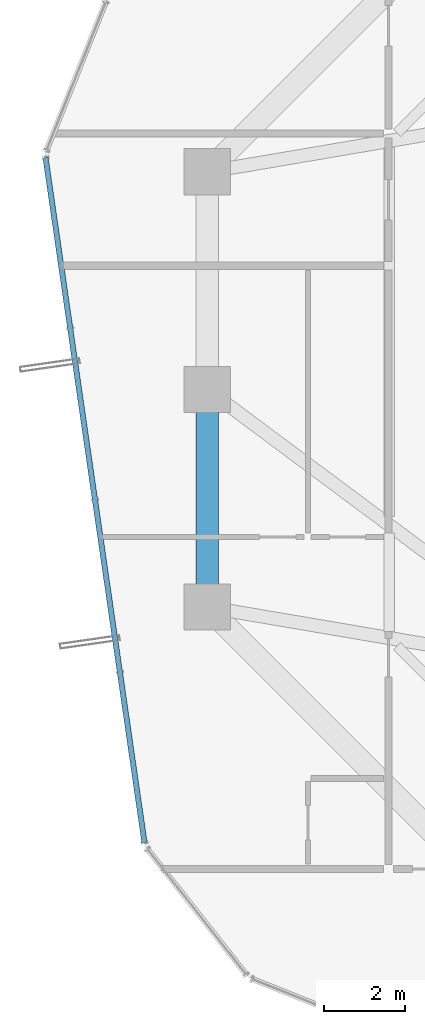
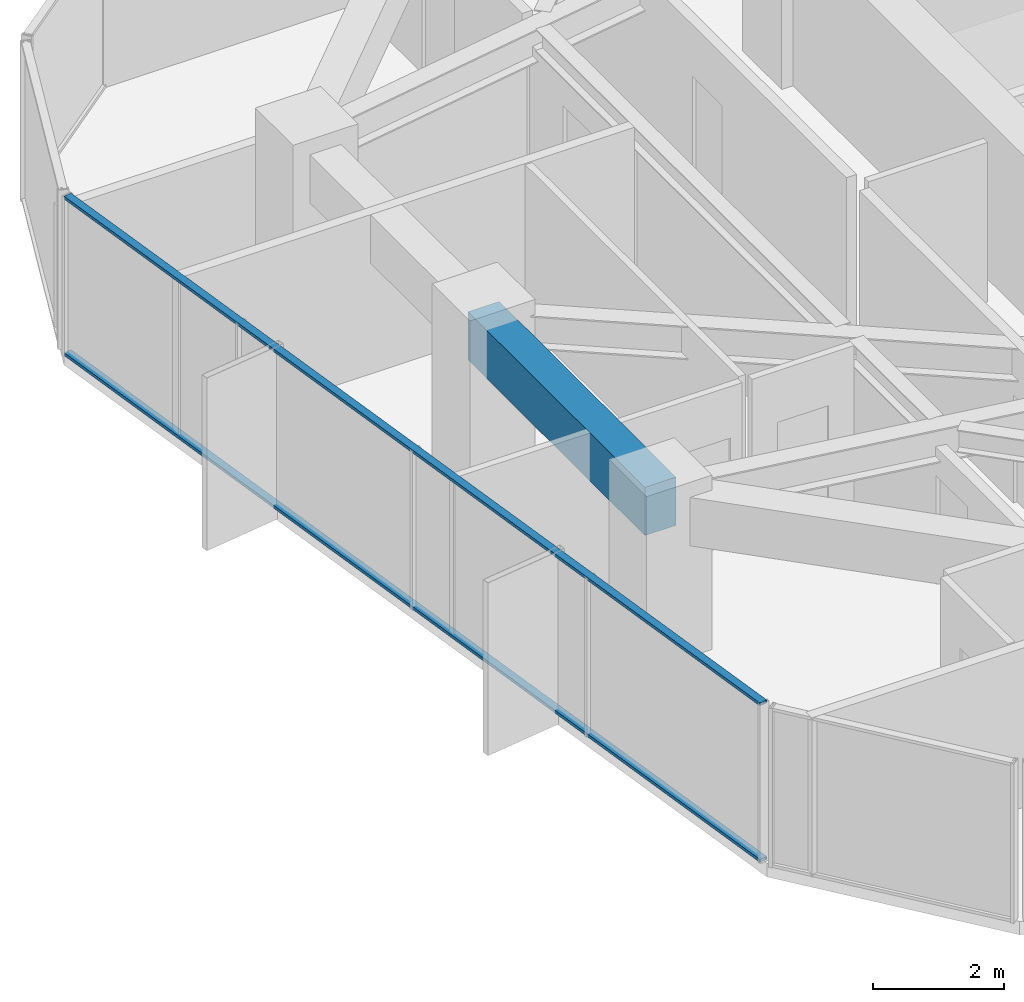
# One storey, part 9 of 34: 2 members, 1 beam, 1 element without a shape of its own.
"""IFC4 building model written with IfcOpenShell, lengths in metres."""

from ifc_helpers import new_model, si_unit, direction, frame, origin, origin_2d, place, context, subcontext, project, spatial, rectangle, hollow_rectangle, extrude, source, transform, mapped, material, layer, layer_set, material_profile, profile_set, type_object, element, aggregate, save


model = new_model("IFC4")

# Units and contexts
model_context = context("Model", 3, precision=1e-05, world=origin(), true_north=direction((0.0, 1.0)))
body_context = subcontext(model_context, "Body", "Model", "MODEL_VIEW")
ifc_project = project(units=[si_unit("LENGTHUNIT", "METRE"), si_unit("AREAUNIT", "SQUARE_METRE"), si_unit("VOLUMEUNIT", "CUBIC_METRE"), si_unit("PLANEANGLEUNIT", "RADIAN"), si_unit("MASSUNIT", "GRAM", prefix="KILO")], contexts=[model_context])

# Site, building, storey
site_placement = place(None, origin())
site = spatial("IfcSite", under=ifc_project, at=site_placement, CompositionType="ELEMENT")
building_placement = place(site_placement, origin())
building = spatial("IfcBuilding", under=site, at=building_placement, Name="Veraguas Prism Commons", CompositionType="ELEMENT")
storey_placement = place(building_placement, frame((0.0, 0.0, 155.5)))
storey = spatial("IfcBuildingStorey", under=building, at=storey_placement, Name="L44", CompositionType="ELEMENT", Elevation=155.5)

# Beam
ifc_material_1 = material(Name="Concrete C50/60", Category="concrete")
ifc_material_profile_1 = material_profile(ifc_material_1, rectangle(XDim=0.550048828125, YDim=0.89990234375, at=origin_2d()), Name="RC550X900")
ifc_profile_set_1 = profile_set([ifc_material_profile_1], Name="Concrete C50/60")
beam_type = type_object("IfcBeamType", Name="Perimeter Spandrel Lower RC 550x900", PredefinedType="SPANDREL", material=ifc_profile_set_1)
beam_placement = place(storey_placement, frame((7.800048828125, 24.0, 2.52001953125), z_axis=(0.0, -1.0, 0.0), x_axis=(1.0, 0.0, 0.0)))
element("IfcBeam", 1, at=beam_placement, inside=storey, type_object=beam_type, Name="Perimeter Spandrel Beam L44-SP08", PredefinedType="SPANDREL", context=body_context, shape_type="SweptSolid", body=[
    extrude(rectangle(XDim=0.550048828125, YDim=0.89990234375, at=origin_2d()), origin(), (0.0, 0.0, 1.0), 5.39990234375),
])

# Curtain wall, members
ifc_material_2 = material(Name="Anodised aluminium EN AW-6063 T6", Category="aluminium")
ifc_layer = layer(ifc_material_2, 0.169921875, Name="Unitised Flush Curtain Wall Zone 2", Category="aluminium")
ifc_layer_set = layer_set([ifc_layer], Name="Anodised aluminium EN AW-6063 T6")
curtain_wall_type = type_object("IfcCurtainWallType", Name="Unitised Flush Curtain Wall Zone 2", PredefinedType="NOTDEFINED", material=ifc_layer_set)
curtain_wall_placement = place(storey_placement, origin())
curtain_wall = element("IfcCurtainWall", 2, at=curtain_wall_placement, inside=storey, type_object=curtain_wall_type, Name="Tower Facade Curtain Wall L44-F3", PredefinedType="NOTDEFINED")
ifc_material_profile_2 = material_profile(ifc_material_2, hollow_rectangle(XDim=0.054931640625, YDim=0.135009765625, WallThickness=0.0029296875, at=origin_2d()), Name="AL55X135X3")
ifc_profile_set_2 = profile_set([ifc_material_profile_2], Name="Anodised aluminium EN AW-6063 T6")
member_type = type_object("IfcMemberType", Name="Curtain Wall Transom Standard AL 55x135x3", PredefinedType="USERDEFINED", material=ifc_profile_set_2)
shared_shape = source(origin(), body_context, "Body", "SweptSolid", [
    extrude(hollow_rectangle(XDim=0.054931640625, YDim=0.135009765625, WallThickness=0.0029296875, at=origin_2d()), origin(), (0.0, 0.0, 1.0), 17.17431640625),
])
member_1_placement = place(storey_placement, frame((3.786865234375, 29.75634765625, 0.027587890625), z_axis=(0.142979483972, -0.989725652473, 0.0), x_axis=(0.0, 0.0, 1.0)))
member_1 = element("IfcMember", 3, at=member_1_placement, type_object=member_type, Name="CW-Z2 Transom 1", ObjectType="TRANSOM", PredefinedType="USERDEFINED", context=body_context, shape_type="MappedRepresentation", body=[
    mapped(shared_shape, transform((0.0, 0.0, 0.0), scale=1.0)),
])
member_2_placement = place(storey_placement, frame((3.786865234375, 29.75634765625, 2.9423828125), z_axis=(0.142979483972, -0.989725652473, 0.0), x_axis=(0.0, 0.0, 1.0)))
member_2 = element("IfcMember", 4, at=member_2_placement, type_object=member_type, Name="CW-Z2 Transom 2", ObjectType="TRANSOM", PredefinedType="USERDEFINED", context=body_context, shape_type="MappedRepresentation", body=[
    mapped(shared_shape, transform((0.0, 0.0, 0.0), scale=1.0)),
])
aggregate(curtain_wall, [member_1, member_2])

save(model, "model.ifc")
